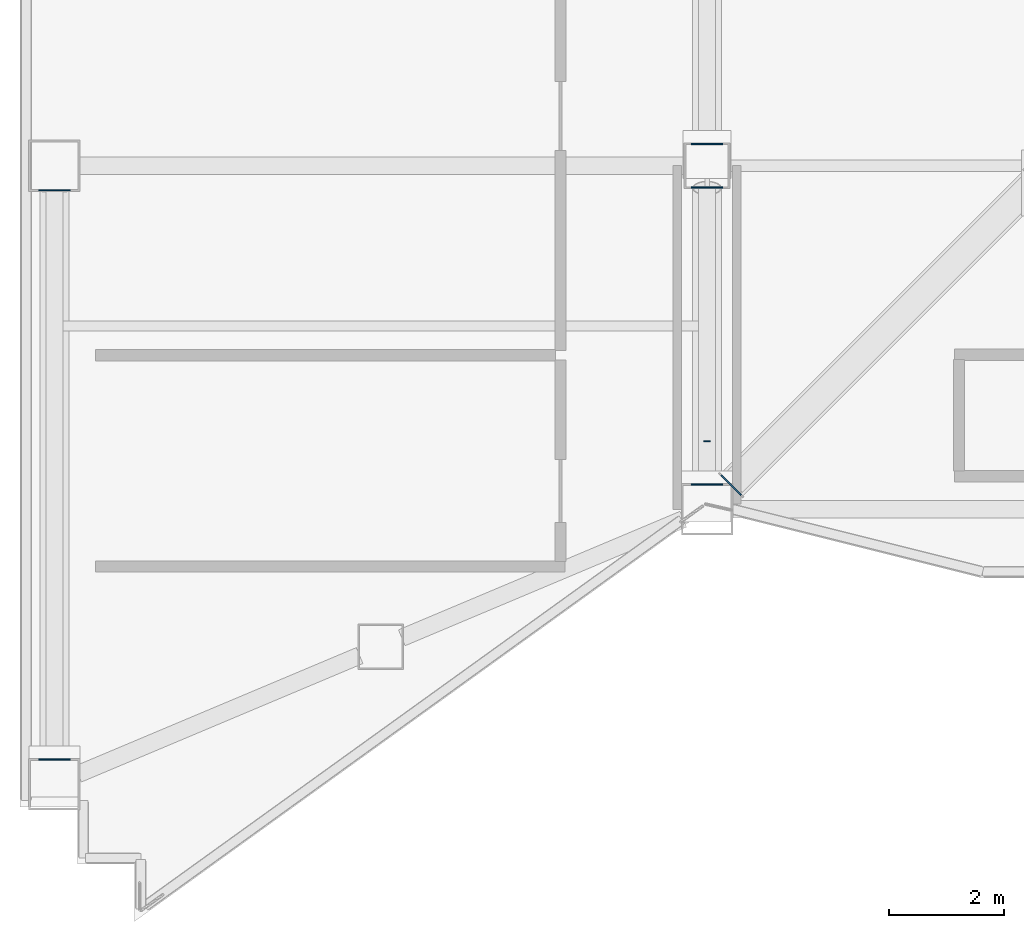
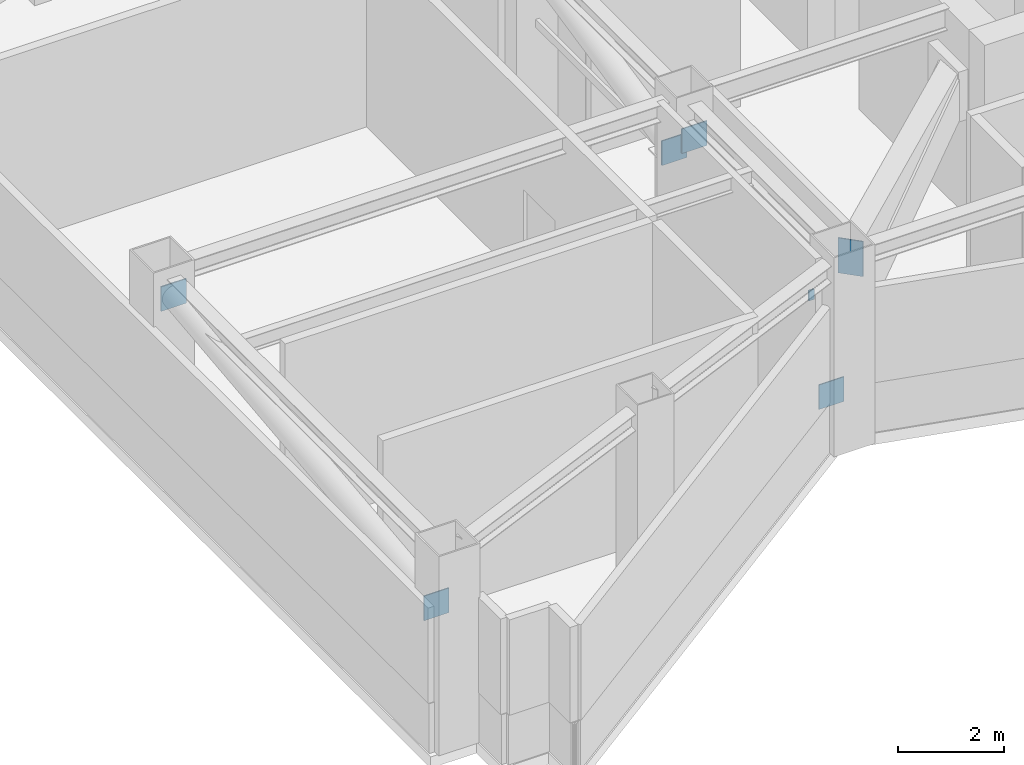
# One storey, part 6 of 19: 7 plates.
"""IFC4 building model written with IfcOpenShell, lengths in metres."""

from ifc_helpers import new_model, si_unit, direction, frame, origin, origin_2d, place, context, subcontext, project, spatial, rectangle, extrude, material, layer, layer_set, type_object, element, save


model = new_model("IFC4")

# Units and contexts
model_context = context("Model", 3, precision=1e-05, world=origin(), true_north=direction((0.0, 1.0)))
body_context = subcontext(model_context, "Body", "Model", "MODEL_VIEW")
ifc_project = project(units=[si_unit("LENGTHUNIT", "METRE"), si_unit("AREAUNIT", "SQUARE_METRE"), si_unit("VOLUMEUNIT", "CUBIC_METRE"), si_unit("PLANEANGLEUNIT", "RADIAN"), si_unit("MASSUNIT", "GRAM", prefix="KILO")], contexts=[model_context])

# Site, building, storey
site_placement = place(None, origin())
site = spatial("IfcSite", under=ifc_project, at=site_placement, CompositionType="ELEMENT")
building_placement = place(site_placement, origin())
building = spatial("IfcBuilding", under=site, at=building_placement, Name="Haolan Belvedere Tower", CompositionType="ELEMENT")
storey_placement = place(building_placement, frame((0.0, 0.0, 230.60009765625)))
storey = spatial("IfcBuildingStorey", under=building, at=storey_placement, Name="L58", CompositionType="ELEMENT", Elevation=230.60009765625)

# Plates
ifc_material = material(Name="Steel Q355B", Category="steel")
ifc_layer = layer(ifc_material, 0.02490234375, Name="Steel Q355B")
ifc_layer_set = layer_set([ifc_layer], Name="Steel Q355B")
plate_type = type_object("IfcPlateType", Name="PL-CAP-25", PredefinedType="SHEET", material=ifc_layer_set)
plate_1_placement = place(storey_placement, frame((24.419921875, 22.02001953125, 3.38623046875), z_axis=(0.0, 0.0, 1.0), x_axis=(0.707106781187, -0.707106781187, 0.0)))
element("IfcPlate", 1, at=plate_1_placement, inside=storey, type_object=plate_type, Name="Hollow steel end-cap plate OR-W2-L58-DG-CAP1", PredefinedType="SHEET", context=body_context, shape_type="SweptSolid", body=[
    extrude(rectangle(XDim=0.489990234375, YDim=0.02490234375, at=origin_2d()), origin(), (0.0, 0.0, 1.0), 0.81005859375),
])
for number, where, z_axis, x_axis, name in (
    (2, (24.0, 22.029052734375, 0.509765625), (0.0, 0.0, 1.0), (1.0, 0.0, 0.0), "Hollow steel end-cap plate BT-W1-L58-CAP0"),
    (3, (24.0, 27.220947265625, 3.271484375), (0.0, 0.0, 1.0), (-1.0, 0.0, 0.0), "Hollow steel end-cap plate BT-W1-L58-CAP1"),
    (4, (24.0, 27.977783203125, 2.533203125), (0.0, 0.0, 1.0), (1.0, 0.0, 0.0), "Hollow steel end-cap plate BT-W2-L58-CAP0"),
    (5, (12.60009765625, 17.2275390625, 2.53466796875), (0.0, 0.0, 1.0), (1.0, 0.0, 0.0), "Hollow steel end-cap plate BT-T2-L58-CAP0"),
    (6, (12.60009765625, 27.17236328125, 3.6474609375), (0.0, 0.0, 1.0), (-1.0, 0.0, 0.0), "Hollow steel end-cap plate BT-T2-L58-CAP1"),
):
    element("IfcPlate", number, at=place(storey_placement, frame(where, z_axis=z_axis, x_axis=x_axis)), inside=storey, type_object=plate_type, Name=name, PredefinedType="SHEET", context=body_context, shape_type="SweptSolid", body=[
        extrude(rectangle(XDim=0.548095703125, YDim=0.02490234375, at=origin_2d()), origin(), (0.0, 0.0, 1.0), 0.568115234375),
    ])
plate_2_placement = place(storey_placement, frame((24.0, 22.78759765625, 2.47998046875), z_axis=(0.0, 0.0, 1.0), x_axis=(1.0, 0.0, 0.0)))
element("IfcPlate", 7, at=plate_2_placement, inside=storey, type_object=plate_type, Name="Hollow steel end-cap plate GIRT-L58-GW-CAP0", PredefinedType="SHEET", context=body_context, shape_type="SweptSolid", body=[
    extrude(rectangle(XDim=0.1201171875, YDim=0.02490234375, at=origin_2d()), origin(), (0.0, 0.0, 1.0), 0.239990234375),
])

save(model, "model.ifc")
